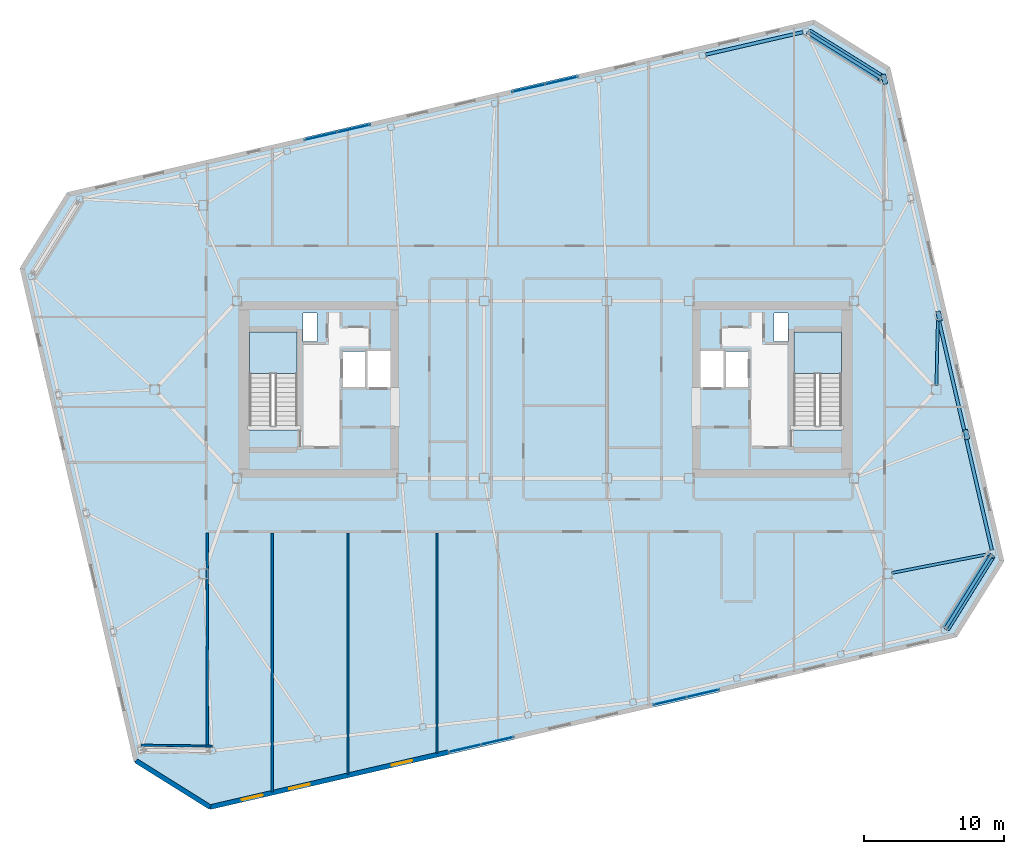
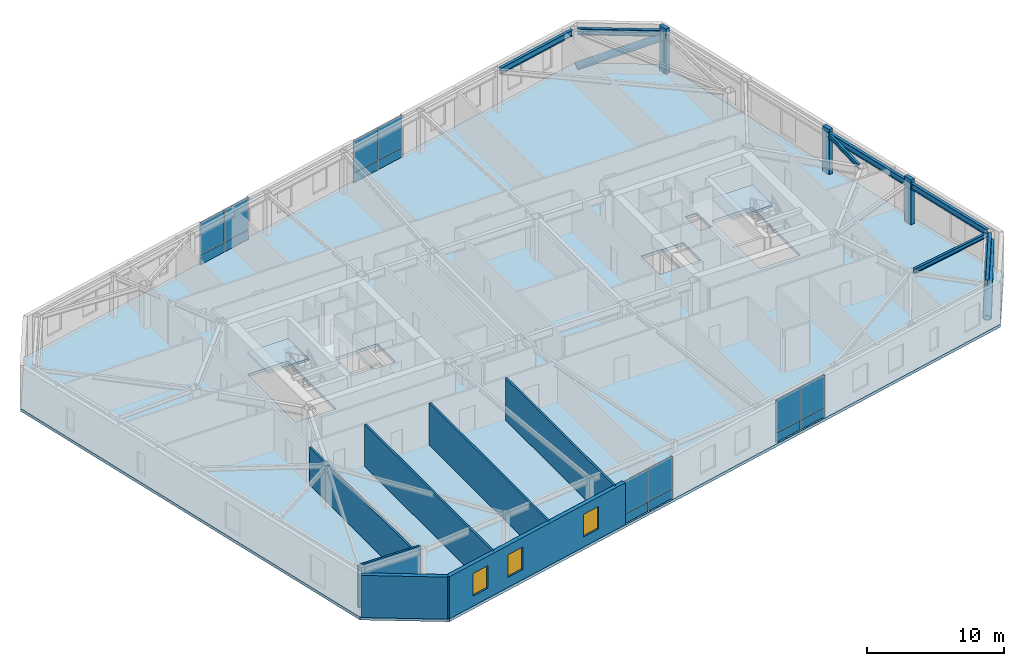
# One storey, part 15 of 23: 16 plates, 7 beams, 7 walls, 5 members, 3 slabs, 3 windows, 3 openings, 6 elements without a shape of their own.
"""IFC4 building model written with IfcOpenShell, lengths in metres."""

import ifcopenshell
import ifcopenshell.guid

model = None  # the IFC model being written
_history = None  # IfcOwnerHistory: only IFC2X3 demands one
_inside = {}  # id of a spatial element -> (the spatial element, [elements in it])
_under = {}  # id of a project, library or spatial element -> (it, [spatial elements below it])
_declared = {}  # id of a project -> (the project, [libraries it declares])
_typed = {}  # id of a type object -> (the type object, [elements of that type])
_made_of = {}  # id of a material, layer set ... -> (it, [elements and type objects made of it])


def new_model(schema):
    """Start an empty IFC model of exactly this schema.

    Asked for "IFC4X3", IfcOpenShell would pick the latest addendum, in which some entities
    have other attributes; the version numbers below select the first issue.
    IFC2X3 requires an IfcOwnerHistory on every rooted entity: one is made here for all.
    """
    global model, _history
    if schema == "IFC4X3":
        model = ifcopenshell.file(schema_version=(4, 3, 0, 0))
    else:
        model = ifcopenshell.file(schema=schema)
    _inside.clear()
    _under.clear()
    _declared.clear()
    _typed.clear()
    _made_of.clear()
    _history = None
    if model.schema == "IFC2X3":
        org = make("IfcOrganization", Name="unknown")
        user = make(
            "IfcPersonAndOrganization",
            ThePerson=make("IfcPerson", FamilyName="unknown"),
            TheOrganization=org,
        )
        app = make(
            "IfcApplication",
            ApplicationDeveloper=org,
            Version="unknown",
            ApplicationFullName="unknown",
            ApplicationIdentifier="unknown",
        )
        _history = make(
            "IfcOwnerHistory",
            OwningUser=user,
            OwningApplication=app,
            ChangeAction="ADDED",
            CreationDate=0,
        )
    return model


def make(cls, **values):
    """One entity of the class cls with the attributes given. An attribute that is None is left unset."""
    return model.create_entity(
        cls, **{name: value for name, value in values.items() if value is not None}
    )


def rooted(cls, **values):
    """An entity with a GlobalId (a new one), such as an element, a storey or a relation."""
    return make(cls, GlobalId=ifcopenshell.guid.new(), OwnerHistory=_history, **values)


def si_unit(unit_type, name, prefix=None):
    """IfcSIUnit, for example si_unit("LENGTHUNIT", "METRE", prefix="MILLI")."""
    return make("IfcSIUnit", UnitType=unit_type, Prefix=prefix, Name=name)


def assignment(units):
    """IfcUnitAssignment: the units of a project."""
    return None if units is None else make("IfcUnitAssignment", Units=units)


def point(xyz):
    """IfcCartesianPoint."""
    return None if xyz is None else make("IfcCartesianPoint", Coordinates=xyz)


def direction(xyz):
    """IfcDirection."""
    return None if xyz is None else make("IfcDirection", DirectionRatios=xyz)


def frame(location, z_axis=None, x_axis=None):
    """IfcAxis2Placement3D, a coordinate frame: its origin and axes. An axis left out is left unset."""
    return make(
        "IfcAxis2Placement3D",
        Location=point(location),
        Axis=direction(z_axis),
        RefDirection=direction(x_axis),
    )


def frame_2d(location, x_axis=None):
    """IfcAxis2Placement2D, a coordinate frame in the plane: its origin and x axis."""
    return make(
        "IfcAxis2Placement2D", Location=point(location), RefDirection=direction(x_axis)
    )


def origin():
    """The frame at (0, 0, 0) with its axes left unset."""
    return frame((0.0, 0.0, 0.0))


def origin_2d():
    """The frame at (0, 0) in the plane with its x axis left unset."""
    return frame_2d((0.0, 0.0))


def place(relative_to, where):
    """IfcLocalPlacement: puts the frame where relative to a parent placement (None: the world)."""
    return make(
        "IfcLocalPlacement", PlacementRelTo=relative_to, RelativePlacement=where
    )


def context(
    kind, dimensions, precision=None, world=None, true_north=None, identifier=None
):
    """IfcGeometricRepresentationContext, for example the 3D "Model" context."""
    return make(
        "IfcGeometricRepresentationContext",
        ContextIdentifier=identifier,
        ContextType=kind,
        CoordinateSpaceDimension=dimensions,
        Precision=precision,
        WorldCoordinateSystem=world,
        TrueNorth=true_north,
    )


def subcontext(parent, identifier, kind, view, scale=None):
    """IfcGeometricRepresentationSubContext, for example "Body" below "Model"."""
    return make(
        "IfcGeometricRepresentationSubContext",
        ContextIdentifier=identifier,
        ContextType=kind,
        ParentContext=parent,
        TargetScale=scale,
        TargetView=view,
    )


def project(units=None, contexts=None):
    """IfcProject with its units and contexts."""
    return rooted(
        "IfcProject",
        Name="project",
        RepresentationContexts=contexts,
        UnitsInContext=assignment(units),
    )


def spatial(cls, under=None, at=None, **own):
    """A site, building, storey or space (cls), placed at a placement, below another one or the project."""
    s = rooted(cls, ObjectPlacement=at, **own)
    if under is not None:
        _under.setdefault(under.id(), (under, []))[1].append(s)
    return s


def polyline(points):
    """IfcPolyline through the points."""
    return make("IfcPolyline", Points=[point(p) for p in points])


def profile(cls, at=None, kind="AREA", **sizes):
    """A parametric profile (cls). Its sizes go by their IFC names, for example OverallWidth=200.0."""
    return make(cls, ProfileType=kind, Position=at, **sizes)


def rectangle(**sizes):
    """IfcRectangleProfileDef."""
    return profile("IfcRectangleProfileDef", **sizes)


def hollow_circle(**sizes):
    """IfcCircleHollowProfileDef."""
    return profile("IfcCircleHollowProfileDef", **sizes)


def i_section(**sizes):
    """IfcIShapeProfileDef."""
    return profile("IfcIShapeProfileDef", **sizes)


def outline(outer, holes=None, kind="AREA"):
    """IfcArbitraryClosedProfileDef: a profile drawn as a closed curve; with holes, ...WithVoids."""
    if holes is None:
        return make("IfcArbitraryClosedProfileDef", ProfileType=kind, OuterCurve=outer)
    return make(
        "IfcArbitraryProfileDefWithVoids",
        ProfileType=kind,
        OuterCurve=outer,
        InnerCurves=holes,
    )


def extrude(swept, where, along, depth):
    """IfcExtrudedAreaSolid: the profile swept, set in the frame where, extruded along a direction by depth."""
    return make(
        "IfcExtrudedAreaSolid",
        SweptArea=swept,
        Position=where,
        ExtrudedDirection=direction(along),
        Depth=depth,
    )


def shape(context_of_items, identifier, shape_type, items):
    """IfcShapeRepresentation: the items that make up one representation, for example the "Body"."""
    return make(
        "IfcShapeRepresentation",
        ContextOfItems=context_of_items,
        RepresentationIdentifier=identifier,
        RepresentationType=shape_type,
        Items=items,
    )


def material(Name=None, Category=None):
    """IfcMaterial."""
    return make("IfcMaterial", Name=Name, Category=Category)


def layer(
    of_material, thickness, ventilated=None, Name=None, Category=None, Priority=None
):
    """IfcMaterialLayer: one layer of a wall or slab, of a material (None: an air gap)."""
    return make(
        "IfcMaterialLayer",
        Material=of_material,
        LayerThickness=thickness,
        IsVentilated=ventilated,
        Name=Name,
        Category=Category,
        Priority=Priority,
    )


def layer_set(layers, Name=None):
    """IfcMaterialLayerSet."""
    return make("IfcMaterialLayerSet", MaterialLayers=layers, LayerSetName=Name)


def material_profile(
    of_material, cross_section, Name=None, Category=None, Priority=None
):
    """IfcMaterialProfile: a cross section and its material."""
    return make(
        "IfcMaterialProfile",
        Name=Name,
        Material=of_material,
        Profile=cross_section,
        Priority=Priority,
        Category=Category,
    )


def profile_set(profiles, Name=None, composite=None):
    """IfcMaterialProfileSet."""
    return make(
        "IfcMaterialProfileSet",
        Name=Name,
        MaterialProfiles=profiles,
        CompositeProfile=composite,
    )


def made_of(thing, what):
    """Note that an element or type object is made of a material, layer set ...; save() writes the relation."""
    if what is not None:
        _made_of.setdefault(what.id(), (what, []))[1].append(thing)
    return thing


def type_object(cls, material=None, **own):
    """A type object (cls), such as IfcWallType, which elements share."""
    return made_of(rooted(cls, **own), material)


def element(
    cls,
    number,
    at=None,
    inside=None,
    cuts=None,
    type_object=None,
    material=None,
    context=None,
    identifier="Body",
    shape_type=None,
    held_by="IfcProductDefinitionShape",
    body=None,
    shapes=None,
    **own,
):
    """One element of the class cls, such as IfcWall. Its Tag is "e" and its number.

    at: its placement. inside: the storey or other place that contains it. cuts: it is an
    opening in that element (IfcRelVoidsElement). A single representation is given by context,
    identifier, shape_type and body (its items); several are given by shapes. held_by: the class
    of the entity that holds the representations. save() writes the other relations.
    """
    e = rooted(cls, Tag="e%d" % number, ObjectPlacement=at, **own)
    if body is not None:
        shapes = [shape(context, identifier, shape_type, body)]
    if shapes is not None:
        e.Representation = make(held_by, Representations=shapes)
    if inside is not None:
        _inside.setdefault(inside.id(), (inside, []))[1].append(e)
    if cuts is not None:
        rooted(
            "IfcRelVoidsElement", RelatingBuildingElement=cuts, RelatedOpeningElement=e
        )
    if type_object is not None:
        _typed.setdefault(type_object.id(), (type_object, []))[1].append(e)
    return made_of(e, material)


def fill(opening, filler):
    """IfcRelFillsElement: the door or window that sits in an opening."""
    return rooted(
        "IfcRelFillsElement",
        RelatingOpeningElement=opening,
        RelatedBuildingElement=filler,
    )


def aggregate(whole, parts):
    """IfcRelAggregates: a whole, such as a stair, and the parts it consists of."""
    return rooted("IfcRelAggregates", RelatingObject=whole, RelatedObjects=parts)


def save(model, path):
    """Write the relations noted so far, then the file.

    IfcRelAggregates (storeys below a building ...), IfcRelContainedInSpatialStructure (elements
    in a storey), IfcRelDefinesByType, IfcRelAssociatesMaterial and IfcRelDeclares: one each for
    every whole, place, type object, material and project.
    """
    for whole, parts in _under.values():
        aggregate(whole, parts)
    for where, things in _inside.values():
        rooted(
            "IfcRelContainedInSpatialStructure",
            RelatedElements=things,
            RelatingStructure=where,
        )
    for kind, things in _typed.values():
        rooted("IfcRelDefinesByType", RelatedObjects=things, RelatingType=kind)
    for what, things in _made_of.values():
        rooted("IfcRelAssociatesMaterial", RelatedObjects=things, RelatingMaterial=what)
    for by, libraries in _declared.values():
        rooted("IfcRelDeclares", RelatingContext=by, RelatedDefinitions=libraries)
    model.write(path)


model = new_model("IFC4")

# Units and contexts
model_context = context("Model", 3, precision=1e-05, world=origin(), true_north=direction((0.0, 1.0)))
body_context = subcontext(model_context, "Body", "Model", "MODEL_VIEW")
ifc_project = project(units=[si_unit("LENGTHUNIT", "METRE"), si_unit("AREAUNIT", "SQUARE_METRE"), si_unit("VOLUMEUNIT", "CUBIC_METRE"), si_unit("PLANEANGLEUNIT", "RADIAN"), si_unit("MASSUNIT", "GRAM", prefix="KILO")], contexts=[model_context])

# Site, building, storey
site_placement = place(None, origin())
site = spatial("IfcSite", under=ifc_project, at=site_placement, CompositionType="ELEMENT")
building_placement = place(site_placement, origin())
building = spatial("IfcBuilding", under=site, at=building_placement, Name="Tavrogorsk Clinical Tower", CompositionType="ELEMENT")
storey_placement = place(building_placement, frame((0.0, 0.0, 301.0)))
storey = spatial("IfcBuildingStorey", under=building, at=storey_placement, Name="L70", CompositionType="ELEMENT", Elevation=301.0)

# Members
ifc_material_1 = material(Name="Structural steel S440", Category="steel")
ifc_material_profile_1 = material_profile(ifc_material_1, hollow_circle(Radius=0.304931640625, WallThickness=0.02490234375, at=origin_2d()), Name="CHS-610x25")
ifc_profile_set_1 = profile_set([ifc_material_profile_1], Name="Structural steel S440")
member_type_1 = type_object("IfcMemberType", Name="ExoBrace_CHS610", PredefinedType="BRACE", material=ifc_profile_set_1)
for number, where, z_axis, x_axis, name in (
    (1, (28.70166015625, -17.063720703125, 0.393310546875), (0.485685891885, 0.777193135924, 0.40010004236), (-0.848027637525, 0.529952003481, 0.0), "L70 Corner Exoskeleton Brace S8-E1"),
    (2, (18.86279296875, 25.55322265625, 0.393310546875), (0.777221605895, -0.485643868835, 0.400095748531), (0.529905066536, 0.848056967697, 0.0), "L70 Corner Exoskeleton Brace E5-N1"),
):
    element("IfcMember", number, at=place(storey_placement, frame(where, z_axis=z_axis, x_axis=x_axis)), inside=storey, type_object=member_type_1, Name=name, PredefinedType="BRACE", context=body_context, shape_type="SweptSolid", body=[
        extrude(hollow_circle(Radius=0.304931640625, WallThickness=0.02490234375, at=origin_2d()), origin(), (0.0, 0.0, 1.0), 6.63232421875),
    ])

# Beams
ifc_material_2 = material(Name="Structural steel S355", Category="steel")
ifc_material_profile_2 = material_profile(ifc_material_2, i_section(OverallWidth=0.199951171875, OverallDepth=0.39990234375, WebThickness=0.010498046875, FlangeThickness=0.01611328125, at=origin_2d()), Name="B-400x200x10.5x16")
ifc_profile_set_2 = profile_set([ifc_material_profile_2], Name="Structural steel S355")
beam_type_1 = type_object("IfcBeamType", Name="FloorBeam_B400", PredefinedType="BEAM", material=ifc_profile_set_2)
beam_1_placement = place(storey_placement, frame((24.80419921875, -13.140625, 3.5400390625), z_axis=(0.981451198395, 0.191712141424, 0.0), x_axis=(-0.191712141424, 0.981451198395, 0.0)))
element("IfcBeam", 3, at=beam_1_placement, inside=storey, type_object=beam_type_1, Name="L70 Radial Floor Beam E1", PredefinedType="BEAM", context=body_context, shape_type="SweptSolid", body=[
    extrude(i_section(OverallWidth=0.199951171875, OverallDepth=0.39990234375, WebThickness=0.010498046875, FlangeThickness=0.01611328125, at=origin_2d()), origin(), (0.0, 0.0, 1.0), 7.13525390625),
])
beam_2_placement = place(storey_placement, frame((28.0068359375, 0.309814453125, 3.5400390625), z_axis=(0.022370062613, 0.999749758839, 0.0), x_axis=(-0.999749758839, 0.022370062613, 0.0)))
element("IfcBeam", 4, at=beam_2_placement, inside=storey, type_object=beam_type_1, Name="L70 Radial Floor Beam E3", PredefinedType="BEAM", context=body_context, shape_type="SweptSolid", body=[
    extrude(i_section(OverallWidth=0.199951171875, OverallDepth=0.39990234375, WebThickness=0.010498046875, FlangeThickness=0.01611328125, at=origin_2d()), origin(), (0.0, 0.0, 1.0), 4.703857421875),
])

# Members
ifc_material_3 = material(Name="Precast concrete B45 with limestone cladding", Category="masonry")
ifc_material_profile_3 = material_profile(ifc_material_3, rectangle(XDim=0.320068359375, YDim=0.719970703125, at=origin_2d()), Name="LIMESTONE-FIN-320x720")
ifc_profile_set_3 = profile_set([ifc_material_profile_3], Name="Precast concrete B45 with limestone cladding")
member_type_2 = type_object("IfcMemberType", Name="LimestonePleatFin_320x720", PredefinedType="USERDEFINED", material=ifc_profile_set_3)
for number, where, z_axis, x_axis, name in (
    (5, (30.154541015625, -3.223388671875, 0.0), (0.0, 0.0, 1.0), (0.974370064785, 0.224951054344, 0.0), "L70 E Pleated Stone Fin 1"),
    (6, (28.1953125, 5.263427734375, 0.0), (0.0, 0.0, 1.0), (0.974370064785, 0.224951054344, 0.0), "L70 E Pleated Stone Fin 2"),
    (7, (24.276611328125, 22.237060546875, 0.0), (0.0, 0.0, 1.0), (0.974370064785, 0.224951054344, 0.0), "L70 E Pleated Stone Fin 4"),
):
    element("IfcMember", number, at=place(storey_placement, frame(where, z_axis=z_axis, x_axis=x_axis)), inside=storey, type_object=member_type_2, Name=name, ObjectType="FIN", PredefinedType="USERDEFINED", context=body_context, shape_type="SweptSolid", body=[
        extrude(rectangle(XDim=0.320068359375, YDim=0.719970703125, at=origin_2d()), origin(), (0.0, 0.0, 1.0), 4.0),
    ])

# Beams
ifc_material_4 = material(Name="Structural steel S390", Category="steel")
ifc_material_profile_4 = material_profile(ifc_material_4, i_section(OverallWidth=0.239990234375, OverallDepth=0.550048828125, WebThickness=0.013916015625, FlangeThickness=0.02197265625, at=origin_2d()), Name="B-550x240x14x22")
ifc_profile_set_4 = profile_set([ifc_material_profile_4], Name="Structural steel S390")
beam_type_2 = type_object("IfcBeamType", Name="SpandrelBeam_B550", PredefinedType="SPANDREL", material=ifc_profile_set_4)
beam_3_placement = place(storey_placement, frame((28.712158203125, -17.04736328125, 3.465087890625), z_axis=(0.529904457892, 0.848057348006, 0.0), x_axis=(-0.848057348006, 0.529904457892, 0.0)))
element("IfcBeam", 8, at=beam_3_placement, inside=storey, type_object=beam_type_2, Name="L70 Perimeter Spandrel S8-E1", PredefinedType="SPANDREL", context=body_context, shape_type="SweptSolid", body=[
    extrude(i_section(OverallWidth=0.239990234375, OverallDepth=0.550048828125, WebThickness=0.013916015625, FlangeThickness=0.02197265625, at=origin_2d()), origin(), (0.0, 0.0, 1.0), 6.039306640625),
])
for number, where, z_axis, x_axis, name in (
    (9, (31.9833984375, -11.5009765625, 3.465087890625), (-0.224950345141, 0.974370228517, 0.0), (-0.974370228517, -0.224950345141, 0.0), "L70 Perimeter Spandrel E1-E2"),
    (10, (30.024169921875, -3.01416015625, 3.465087890625), (-0.224950345141, 0.974370228517, 0.0), (-0.974370228517, -0.224950345141, 0.0), "L70 Perimeter Spandrel E2-E3"),
):
    element("IfcBeam", number, at=place(storey_placement, frame(where, z_axis=z_axis, x_axis=x_axis)), inside=storey, type_object=beam_type_2, Name=name, PredefinedType="SPANDREL", context=body_context, shape_type="SweptSolid", body=[
        extrude(i_section(OverallWidth=0.239990234375, OverallDepth=0.550048828125, WebThickness=0.013916015625, FlangeThickness=0.02197265625, at=origin_2d()), origin(), (0.0, 0.0, 1.0), 8.243896484375),
    ])
beam_4_placement = place(storey_placement, frame((24.0009765625, 22.342529296875, 3.465087890625), z_axis=(-0.848057348006, 0.529904457892, 0.0), x_axis=(-0.529904457892, -0.848057348006, 0.0)))
element("IfcBeam", 11, at=beam_4_placement, inside=storey, type_object=beam_type_2, Name="L70 Perimeter Spandrel E5-N1", PredefinedType="SPANDREL", context=body_context, shape_type="SweptSolid", body=[
    extrude(i_section(OverallWidth=0.239990234375, OverallDepth=0.550048828125, WebThickness=0.013916015625, FlangeThickness=0.02197265625, at=origin_2d()), origin(), (0.0, 0.0, 1.0), 6.039306640625),
])
beam_5_placement = place(storey_placement, frame((18.45458984375, 25.61376953125, 3.465087890625), z_axis=(-0.974375120167, -0.224929155956, 0.0), x_axis=(0.224929155956, -0.974375120167, 0.0)))
element("IfcBeam", 12, at=beam_5_placement, inside=storey, type_object=beam_type_2, Name="L70 Perimeter Spandrel N1-N2", PredefinedType="SPANDREL", context=body_context, shape_type="SweptSolid", body=[
    extrude(i_section(OverallWidth=0.239990234375, OverallDepth=0.550048828125, WebThickness=0.013916015625, FlangeThickness=0.02197265625, at=origin_2d()), origin(), (0.0, 0.0, 1.0), 7.16796875),
])

# Curtain wall, plates
ifc_material_5 = material(Name="Anodised aluminium and triple IGU glazing", Category="aluminium")
ifc_layer_1 = layer(ifc_material_5, 0.179931640625)
ifc_layer_set_1 = layer_set([ifc_layer_1], Name="Anodised aluminium and triple IGU glazing")
curtain_wall_type_1 = type_object("IfcCurtainWallType", Name="CW3_SouthSlot", PredefinedType="NOTDEFINED", material=ifc_layer_set_1)
curtain_wall_1_placement = place(storey_placement, origin())
curtain_wall_1 = element("IfcCurtainWall", 13, at=curtain_wall_1_placement, inside=storey, type_object=curtain_wall_type_1, Name="L70 Curtain Wall CW-L70-S-SLOT-1", PredefinedType="NOTDEFINED")
ifc_material_6 = material(Name="Honed Podolsk limestone spandrel panel", Category="masonry")
ifc_layer_2 = layer(ifc_material_6, 0.080078125)
ifc_layer_set_2 = layer_set([ifc_layer_2], Name="Honed Podolsk limestone spandrel panel")
plate_type_1 = type_object("IfcPlateType", Name="CwSpandrelStonePanel_80", PredefinedType="CURTAIN_PANEL", material=ifc_layer_set_2)
plate_1_placement = place(storey_placement, frame((-5.810546875, -25.7099609375, 0.001953125), z_axis=(0.0, 0.0, 1.0), x_axis=(0.974370057377, 0.224951086434, 0.0)))
plate_1 = element("IfcPlate", 14, at=plate_1_placement, type_object=plate_type_1, Name="CW-L70-S-SLOT-1 Stone Spandrel Panel 1", PredefinedType="CURTAIN_PANEL", context=body_context, shape_type="SweptSolid", body=[
    extrude(rectangle(XDim=2.39208984375, YDim=0.080078125, at=origin_2d()), origin(), (0.0, 0.0, 1.0), 0.8359375),
])
plate_2_placement = place(storey_placement, frame((-3.45654296875, -25.16650390625, 0.001953125), z_axis=(0.0, 0.0, 1.0), x_axis=(0.974370057377, 0.224951086434, 0.0)))
plate_2 = element("IfcPlate", 15, at=plate_2_placement, type_object=plate_type_1, Name="CW-L70-S-SLOT-1 Stone Spandrel Panel 2", PredefinedType="CURTAIN_PANEL", context=body_context, shape_type="SweptSolid", body=[
    extrude(rectangle(XDim=2.39208984375, YDim=0.080078125, at=origin_2d()), origin(), (0.0, 0.0, 1.0), 0.8359375),
])

curtain_wall_2_placement = place(storey_placement, origin())
curtain_wall_2 = element("IfcCurtainWall", 16, at=curtain_wall_2_placement, inside=storey, type_object=curtain_wall_type_1, Name="L70 Curtain Wall CW-L70-S-SLOT-2", PredefinedType="NOTDEFINED")
plate_3_placement = place(storey_placement, frame((8.9296875, -22.306884765625, 0.001953125), z_axis=(0.0, 0.0, 1.0), x_axis=(0.974370057377, 0.224951086434, 0.0)))
plate_3 = element("IfcPlate", 17, at=plate_3_placement, type_object=plate_type_1, Name="CW-L70-S-SLOT-2 Stone Spandrel Panel 1", PredefinedType="CURTAIN_PANEL", context=body_context, shape_type="SweptSolid", body=[
    extrude(rectangle(XDim=2.39208984375, YDim=0.080078125, at=origin_2d()), origin(), (0.0, 0.0, 1.0), 0.8359375),
])
plate_4_placement = place(storey_placement, frame((11.28369140625, -21.763427734375, 0.001953125), z_axis=(0.0, 0.0, 1.0), x_axis=(0.974370057377, 0.224951086434, 0.0)))
plate_4 = element("IfcPlate", 18, at=plate_4_placement, type_object=plate_type_1, Name="CW-L70-S-SLOT-2 Stone Spandrel Panel 2", PredefinedType="CURTAIN_PANEL", context=body_context, shape_type="SweptSolid", body=[
    extrude(rectangle(XDim=2.39208984375, YDim=0.080078125, at=origin_2d()), origin(), (0.0, 0.0, 1.0), 0.8359375),
])

ifc_material_7 = material(Name="Anodised aluminium and triple IGU glazing", Category="aluminium")
ifc_layer_3 = layer(ifc_material_7, 0.179931640625)
ifc_layer_set_3 = layer_set([ifc_layer_3], Name="Anodised aluminium and triple IGU glazing")
curtain_wall_type_2 = type_object("IfcCurtainWallType", Name="CW2_NorthSlot", PredefinedType="NOTDEFINED", material=ifc_layer_set_3)
curtain_wall_3_placement = place(storey_placement, origin())
curtain_wall_3 = element("IfcCurtainWall", 19, at=curtain_wall_3_placement, inside=storey, type_object=curtain_wall_type_2, Name="L70 Curtain Wall CW-L70-N-SLOT-1", PredefinedType="NOTDEFINED")
plate_5_placement = place(storey_placement, frame((-13.729736328125, 18.70703125, 0.001953125), z_axis=(0.0, 0.0, 1.0), x_axis=(-0.974370057377, -0.224951086434, 0.0)))
plate_5 = element("IfcPlate", 20, at=plate_5_placement, type_object=plate_type_1, Name="CW-L70-N-SLOT-1 Stone Spandrel Panel 1", PredefinedType="CURTAIN_PANEL", context=body_context, shape_type="SweptSolid", body=[
    extrude(rectangle(XDim=2.39208984375, YDim=0.080078125, at=origin_2d()), origin(), (0.0, 0.0, 1.0), 0.8359375),
])
plate_6_placement = place(storey_placement, frame((-16.083740234375, 18.16357421875, 0.001953125), z_axis=(0.0, 0.0, 1.0), x_axis=(-0.974370057377, -0.224951086434, 0.0)))
plate_6 = element("IfcPlate", 21, at=plate_6_placement, type_object=plate_type_1, Name="CW-L70-N-SLOT-1 Stone Spandrel Panel 2", PredefinedType="CURTAIN_PANEL", context=body_context, shape_type="SweptSolid", body=[
    extrude(rectangle(XDim=2.39208984375, YDim=0.080078125, at=origin_2d()), origin(), (0.0, 0.0, 1.0), 0.8359375),
])

curtain_wall_4_placement = place(storey_placement, origin())
curtain_wall_4 = element("IfcCurtainWall", 22, at=curtain_wall_4_placement, inside=storey, type_object=curtain_wall_type_2, Name="L70 Curtain Wall CW-L70-N-SLOT-2", PredefinedType="NOTDEFINED")
plate_7_placement = place(storey_placement, frame((1.1474609375, 22.1416015625, 0.001953125), z_axis=(0.0, 0.0, 1.0), x_axis=(-0.974370092441, -0.224950934554, 0.0)))
plate_7 = element("IfcPlate", 23, at=plate_7_placement, type_object=plate_type_1, Name="CW-L70-N-SLOT-2 Stone Spandrel Panel 1", PredefinedType="CURTAIN_PANEL", context=body_context, shape_type="SweptSolid", body=[
    extrude(rectangle(XDim=2.39208984375, YDim=0.080078125, at=origin_2d()), origin(), (0.0, 0.0, 1.0), 0.8359375),
])
plate_8_placement = place(storey_placement, frame((-1.20654296875, 21.59814453125, 0.001953125), z_axis=(0.0, 0.0, 1.0), x_axis=(-0.974370092441, -0.224950934554, 0.0)))
plate_8 = element("IfcPlate", 24, at=plate_8_placement, type_object=plate_type_1, Name="CW-L70-N-SLOT-2 Stone Spandrel Panel 2", PredefinedType="CURTAIN_PANEL", context=body_context, shape_type="SweptSolid", body=[
    extrude(rectangle(XDim=2.39208984375, YDim=0.080078125, at=origin_2d()), origin(), (0.0, 0.0, 1.0), 0.8359375),
])

# Plate
ifc_material_8 = material(Name="Triple low-E argon insulated glass", Category="glass")
ifc_layer_4 = layer(ifc_material_8, 0.048095703125)
ifc_layer_set_4 = layer_set([ifc_layer_4], Name="Triple low-E argon insulated glass")
plate_type_2 = type_object("IfcPlateType", Name="CwVisionGlassPanel_48", PredefinedType="CURTAIN_PANEL", material=ifc_layer_set_4)
plate_9_placement = place(storey_placement, frame((-5.810546875, -25.7099609375, 0.862060546875), z_axis=(0.0, 0.0, 1.0), x_axis=(0.974370057377, 0.224951086434, 0.0)))
plate_9 = element("IfcPlate", 25, at=plate_9_placement, type_object=plate_type_2, Name="CW-L70-S-SLOT-1 Glazing Panel 1", PredefinedType="CURTAIN_PANEL", context=body_context, shape_type="SweptSolid", body=[
    extrude(rectangle(XDim=2.39208984375, YDim=0.048095703125, at=origin_2d()), origin(), (0.0, 0.0, 1.0), 2.8759765625),
])

plate_10_placement = place(storey_placement, frame((-3.45654296875, -25.16650390625, 0.862060546875), z_axis=(0.0, 0.0, 1.0), x_axis=(0.974370057377, 0.224951086434, 0.0)))
plate_10 = element("IfcPlate", 26, at=plate_10_placement, type_object=plate_type_2, Name="CW-L70-S-SLOT-1 Glazing Panel 2", PredefinedType="CURTAIN_PANEL", context=body_context, shape_type="SweptSolid", body=[
    extrude(rectangle(XDim=2.39208984375, YDim=0.048095703125, at=origin_2d()), origin(), (0.0, 0.0, 1.0), 2.8759765625),
])

aggregate(curtain_wall_1, [plate_1, plate_9, plate_2, plate_10])

plate_11_placement = place(storey_placement, frame((8.9296875, -22.306884765625, 0.862060546875), z_axis=(0.0, 0.0, 1.0), x_axis=(0.974370057377, 0.224951086434, 0.0)))
plate_11 = element("IfcPlate", 27, at=plate_11_placement, type_object=plate_type_2, Name="CW-L70-S-SLOT-2 Glazing Panel 1", PredefinedType="CURTAIN_PANEL", context=body_context, shape_type="SweptSolid", body=[
    extrude(rectangle(XDim=2.39208984375, YDim=0.048095703125, at=origin_2d()), origin(), (0.0, 0.0, 1.0), 2.8759765625),
])

plate_12_placement = place(storey_placement, frame((11.28369140625, -21.763427734375, 0.862060546875), z_axis=(0.0, 0.0, 1.0), x_axis=(0.974370057377, 0.224951086434, 0.0)))
plate_12 = element("IfcPlate", 28, at=plate_12_placement, type_object=plate_type_2, Name="CW-L70-S-SLOT-2 Glazing Panel 2", PredefinedType="CURTAIN_PANEL", context=body_context, shape_type="SweptSolid", body=[
    extrude(rectangle(XDim=2.39208984375, YDim=0.048095703125, at=origin_2d()), origin(), (0.0, 0.0, 1.0), 2.8759765625),
])

aggregate(curtain_wall_2, [plate_3, plate_11, plate_4, plate_12])

plate_13_placement = place(storey_placement, frame((-13.729736328125, 18.70703125, 0.862060546875), z_axis=(0.0, 0.0, 1.0), x_axis=(-0.974370057377, -0.224951086434, 0.0)))
plate_13 = element("IfcPlate", 29, at=plate_13_placement, type_object=plate_type_2, Name="CW-L70-N-SLOT-1 Glazing Panel 1", PredefinedType="CURTAIN_PANEL", context=body_context, shape_type="SweptSolid", body=[
    extrude(rectangle(XDim=2.39208984375, YDim=0.048095703125, at=origin_2d()), origin(), (0.0, 0.0, 1.0), 2.8759765625),
])

plate_14_placement = place(storey_placement, frame((-16.083740234375, 18.16357421875, 0.862060546875), z_axis=(0.0, 0.0, 1.0), x_axis=(-0.974370057377, -0.224951086434, 0.0)))
plate_14 = element("IfcPlate", 30, at=plate_14_placement, type_object=plate_type_2, Name="CW-L70-N-SLOT-1 Glazing Panel 2", PredefinedType="CURTAIN_PANEL", context=body_context, shape_type="SweptSolid", body=[
    extrude(rectangle(XDim=2.39208984375, YDim=0.048095703125, at=origin_2d()), origin(), (0.0, 0.0, 1.0), 2.8759765625),
])

aggregate(curtain_wall_3, [plate_5, plate_13, plate_6, plate_14])

plate_15_placement = place(storey_placement, frame((1.1474609375, 22.1416015625, 0.862060546875), z_axis=(0.0, 0.0, 1.0), x_axis=(-0.974370092441, -0.224950934554, 0.0)))
plate_15 = element("IfcPlate", 31, at=plate_15_placement, type_object=plate_type_2, Name="CW-L70-N-SLOT-2 Glazing Panel 1", PredefinedType="CURTAIN_PANEL", context=body_context, shape_type="SweptSolid", body=[
    extrude(rectangle(XDim=2.39208984375, YDim=0.048095703125, at=origin_2d()), origin(), (0.0, 0.0, 1.0), 2.8759765625),
])

plate_16_placement = place(storey_placement, frame((-1.20654296875, 21.59814453125, 0.862060546875), z_axis=(0.0, 0.0, 1.0), x_axis=(-0.974370092441, -0.224950934554, 0.0)))
plate_16 = element("IfcPlate", 32, at=plate_16_placement, type_object=plate_type_2, Name="CW-L70-N-SLOT-2 Glazing Panel 2", PredefinedType="CURTAIN_PANEL", context=body_context, shape_type="SweptSolid", body=[
    extrude(rectangle(XDim=2.39208984375, YDim=0.048095703125, at=origin_2d()), origin(), (0.0, 0.0, 1.0), 2.8759765625),
])

aggregate(curtain_wall_4, [plate_7, plate_15, plate_8, plate_16])

# Stair, slab
ifc_material_9 = material(Name="Concrete B60", Category="concrete")
stair_type = type_object("IfcStairType", Name="CoreStairAssembly", PredefinedType="HALF_TURN_STAIR", material=ifc_material_9)
stair_1_placement = place(storey_placement, origin())
stair_1 = element("IfcStair", 33, at=stair_1_placement, inside=storey, type_object=stair_type, Name="L70 ST-W", PredefinedType="HALF_TURN_STAIR")
ifc_material_10 = material(Name="Concrete B60", Category="concrete")
ifc_layer_5 = layer(ifc_material_10, 0.199951171875)
ifc_layer_set_5 = layer_set([ifc_layer_5], Name="Concrete B60")
slab_type_1 = type_object("IfcSlabType", Name="StairLanding_200", PredefinedType="LANDING", material=ifc_layer_set_5)
slab_1_placement = place(storey_placement, frame((0.0, 0.0, 1.800048828125)))
slab_1 = element("IfcSlab", 34, at=slab_1_placement, type_object=slab_type_1, Name="ST-W landing 1", PredefinedType="LANDING", context=body_context, shape_type="SweptSolid", body=[
    extrude(outline(polyline([(-17.800048828125, 1.1650390625), (-17.800048828125, 4.125), (-21.199951171875, 4.125), (-21.199951171875, 1.1650390625), (-17.800048828125, 1.1650390625)])), origin(), (0.0, 0.0, 1.0), 0.199951171875),
])
aggregate(stair_1, [slab_1])

stair_2_placement = place(storey_placement, origin())
stair_2 = element("IfcStair", 35, at=stair_2_placement, inside=storey, type_object=stair_type, Name="L70 ST-E", PredefinedType="HALF_TURN_STAIR")
slab_2_placement = place(storey_placement, frame((0.0, 0.0, 1.800048828125)))
slab_2 = element("IfcSlab", 36, at=slab_2_placement, type_object=slab_type_1, Name="ST-E landing 1", PredefinedType="LANDING", context=body_context, shape_type="SweptSolid", body=[
    extrude(outline(polyline([(21.199951171875, 1.1650390625), (21.199951171875, 4.125), (17.800048828125, 4.125), (17.800048828125, 1.1650390625), (21.199951171875, 1.1650390625)])), origin(), (0.0, 0.0, 1.0), 0.199951171875),
])
aggregate(stair_2, [slab_2])

# Slab
ifc_material_11 = material(Name="Concrete B60", Category="concrete")
ifc_layer_6 = layer(ifc_material_11, 0.260009765625)
ifc_layer_set_6 = layer_set([ifc_layer_6], Name="Concrete B60")
slab_type_2 = type_object("IfcSlabType", Name="WardSlab_260", PredefinedType="FLOOR", material=ifc_layer_set_6)
slab_3_placement = place(storey_placement, frame((0.0, 0.0, -0.260009765625)))
element("IfcSlab", 37, at=slab_3_placement, inside=storey, type_object=slab_type_2, Name="L70 Structural Slab", PredefinedType="FLOOR", context=body_context, shape_type="SweptSolid", body=[
    extrude(outline(polyline([(-23.991455078125, -30.081787109375), (29.404052734375, -17.75439453125), (32.8515625, -12.23779296875), (24.708251953125, 23.034423828125), (19.19140625, 26.48193359375), (-34.2041015625, 14.154541015625), (-37.651611328125, 8.6376953125), (-29.50830078125, -26.634521484375), (-23.991455078125, -30.081787109375)]), holes=[polyline([(-17.800048828125, -2.8798828125), (-17.800048828125, 4.125), (-21.199951171875, 4.125), (-21.199951171875, -2.8798828125), (-17.800048828125, -2.8798828125)]), polyline([(21.199951171875, -2.8798828125), (21.199951171875, 4.125), (17.800048828125, 4.125), (17.800048828125, -2.8798828125), (21.199951171875, -2.8798828125)]), polyline([(-14.6201171875, 0.169921875), (-12.860107421875, 0.169921875), (-12.860107421875, 2.72998046875), (-14.6201171875, 2.72998046875), (-14.6201171875, 0.169921875)]), polyline([(-12.840087890625, 0.1201171875), (-11.080078125, 0.1201171875), (-11.080078125, 2.780029296875), (-12.840087890625, 2.780029296875), (-12.840087890625, 0.1201171875)]), polyline([(12.860107421875, 0.169921875), (14.6201171875, 0.169921875), (14.6201171875, 2.72998046875), (12.860107421875, 2.72998046875), (12.860107421875, 0.169921875)]), polyline([(11.080078125, 0.1201171875), (12.840087890625, 0.1201171875), (12.840087890625, 2.780029296875), (11.080078125, 2.780029296875), (11.080078125, 0.1201171875)]), polyline([(-17.3798828125, 3.449951171875), (-16.3798828125, 3.449951171875), (-16.3798828125, 5.5), (-17.3798828125, 5.5), (-17.3798828125, 3.449951171875)]), polyline([(16.3798828125, 3.449951171875), (17.3798828125, 3.449951171875), (17.3798828125, 5.5), (16.3798828125, 5.5), (16.3798828125, 3.449951171875)])]), origin(), (0.0, 0.0, 1.0), 0.260009765625),
])

# Walls
ifc_material_12 = material(Name="Lightweight concrete blockwork B15", Category="masonry")
ifc_layer_7 = layer(ifc_material_12, 0.159912109375)
ifc_layer_set_7 = layer_set([ifc_layer_7], Name="Lightweight concrete blockwork B15")
wall_type_1 = type_object("IfcWallType", Name="PartitionWall_160", PredefinedType="PARTITIONING", material=ifc_layer_set_7)
wall_1_placement = place(storey_placement, frame((-28.994140625, -25.47900390625, 0.0), z_axis=(0.0, 0.0, 1.0), x_axis=(0.999915052546, -0.01303409726, 0.0)))
element("IfcWall", 38, at=wall_1_placement, inside=storey, type_object=wall_type_1, Name="L70 Corner Exoskeleton Brace Furring Wall 4", PredefinedType="PARTITIONING", context=body_context, shape_type="SweptSolid", body=[
    extrude(rectangle(XDim=5.13232421875, YDim=0.159912109375, at=frame_2d((2.566162109375, 0.0))), origin(), (0.0, 0.0, 1.0), 3.739990234375),
])
wall_2_placement = place(storey_placement, frame((-24.22998046875, -25.535888671875, 0.0), z_axis=(0.0, 0.0, 1.0), x_axis=(0.0, 1.0, 0.0)))
element("IfcWall", 39, at=wall_2_placement, inside=storey, type_object=wall_type_1, Name="L70 SW Wing Closure Partition", PredefinedType="PARTITIONING", context=body_context, shape_type="SweptSolid", body=[
    extrude(rectangle(XDim=15.27099609375, YDim=0.159912109375, at=frame_2d((7.635498046875, 0.0))), origin(), (0.0, 0.0, 1.0), 3.3349609375),
])
wall_3_placement = place(storey_placement, frame((-19.580078125, -28.817138671875, 0.0), z_axis=(0.0, 0.0, 1.0), x_axis=(0.0, 1.0, 0.0)))
element("IfcWall", 40, at=wall_3_placement, inside=storey, type_object=wall_type_1, Name="L70 South Room Partition 1", PredefinedType="PARTITIONING", context=body_context, shape_type="SweptSolid", body=[
    extrude(rectangle(XDim=18.55224609375, YDim=0.159912109375, at=frame_2d((9.276123046875, 0.0))), origin(), (0.0, 0.0, 1.0), 3.739990234375),
])
wall_4_placement = place(storey_placement, frame((-14.159912109375, -27.56591796875, 0.0), z_axis=(0.0, 0.0, 1.0), x_axis=(0.0, 1.0, 0.0)))
element("IfcWall", 41, at=wall_4_placement, inside=storey, type_object=wall_type_1, Name="L70 South Room Partition 2", PredefinedType="PARTITIONING", context=body_context, shape_type="SweptSolid", body=[
    extrude(rectangle(XDim=17.301025390625, YDim=0.159912109375, at=frame_2d((8.650390625, 0.0))), origin(), (0.0, 0.0, 1.0), 3.739990234375),
])
wall_5_placement = place(storey_placement, frame((-7.77001953125, -26.090576171875, 0.0), z_axis=(0.0, 0.0, 1.0), x_axis=(0.0, 1.0, 0.0)))
element("IfcWall", 42, at=wall_5_placement, inside=storey, type_object=wall_type_1, Name="L70 South Sub-Partition 3", PredefinedType="PARTITIONING", context=body_context, shape_type="SweptSolid", body=[
    extrude(rectangle(XDim=15.82568359375, YDim=0.159912109375, at=frame_2d((7.912841796875, 0.0))), origin(), (0.0, 0.0, 1.0), 3.739990234375),
])

# Wall, openings, windows
ifc_material_13 = material(Name="Precast concrete B45 with limestone cladding", Category="masonry")
ifc_layer_8 = layer(ifc_material_13, 0.340087890625)
ifc_layer_set_8 = layer_set([ifc_layer_8], Name="Precast concrete B45 with limestone cladding")
wall_type_2 = type_object("IfcWallType", Name="PrecastLimestoneWall_340", PredefinedType="STANDARD", material=ifc_layer_set_8)
wall_6_placement = place(storey_placement, frame((-24.029541015625, -29.916259765625, 0.0), z_axis=(0.0, 0.0, 1.0), x_axis=(0.974370978061, 0.224947098473, 0.0)))
wall_6 = element("IfcWall", 43, at=wall_6_placement, inside=storey, type_object=wall_type_2, Name="L70 S Limestone Facade Wall 1", PredefinedType="STANDARD", context=body_context, shape_type="SweptSolid", body=[
    extrude(rectangle(XDim=17.50634765625, YDim=0.340087890625, at=frame_2d((8.753173828125, 0.0))), origin(), (0.0, 0.0, 1.0), 3.739990234375),
])
opening_1_placement = place(wall_6_placement, frame((2.35009765625, 0.0, 0.89990234375)))
opening_1 = element("IfcOpeningElement", 44, at=opening_1_placement, cuts=wall_6, Name="Opening WN-05", PredefinedType="OPENING", context=body_context, shape_type="SweptSolid", body=[
    extrude(rectangle(XDim=1.5, YDim=2.0, at=frame_2d((0.75, 1.0))), frame((0.0, 0.179931640625, 0.0), z_axis=(0.0, -1.0, 0.0), x_axis=(1.0, 0.0, 0.0)), (0.0, 0.0, 1.0), 0.360107421875),
])
opening_2_placement = place(wall_6_placement, frame((5.81689453125, 0.0, 0.89990234375)))
opening_2 = element("IfcOpeningElement", 45, at=opening_2_placement, cuts=wall_6, Name="Opening WN-05", PredefinedType="OPENING", context=body_context, shape_type="SweptSolid", body=[
    extrude(rectangle(XDim=1.5, YDim=2.0, at=frame_2d((0.75, 1.0))), frame((0.0, 0.179931640625, 0.0), z_axis=(0.0, -1.0, 0.0), x_axis=(1.0, 0.0, 0.0)), (0.0, 0.0, 1.0), 0.360107421875),
])
opening_3_placement = place(wall_6_placement, frame((13.353271484375, 0.0, 0.89990234375)))
opening_3 = element("IfcOpeningElement", 46, at=opening_3_placement, cuts=wall_6, Name="Opening WN-05", PredefinedType="OPENING", context=body_context, shape_type="SweptSolid", body=[
    extrude(rectangle(XDim=1.5, YDim=2.0, at=frame_2d((0.75, 1.0))), frame((0.0, 0.179931640625, 0.0), z_axis=(0.0, -1.0, 0.0), x_axis=(1.0, 0.0, 0.0)), (0.0, 0.0, 1.0), 0.360107421875),
])
ifc_material_14 = material(Name="Thermally broken aluminium frame and triple IGU", Category="aluminium")
window_type = type_object("IfcWindowType", Name="ConsultWin_1500x2000", PartitioningType="SINGLE_PANEL", PredefinedType="WINDOW", material=ifc_material_14)
window_1_placement = place(opening_1_placement, origin())
window_1 = element("IfcWindow", 47, at=window_1_placement, inside=storey, type_object=window_type, Name="L70 S Chicago Window 01", OverallHeight=2.0, OverallWidth=1.5, PartitioningType="SINGLE_PANEL", PredefinedType="WINDOW", context=body_context, shape_type="SweptSolid", body=[
    extrude(rectangle(XDim=1.5, YDim=2.0, at=frame_2d((0.75, 1.0))), frame((0.0, 0.030029296875, 0.0), z_axis=(0.0, -1.0, 0.0), x_axis=(1.0, 0.0, 0.0)), (0.0, 0.0, 1.0), 0.06005859375),
])
fill(opening_1, window_1)
window_2_placement = place(opening_2_placement, origin())
window_2 = element("IfcWindow", 48, at=window_2_placement, inside=storey, type_object=window_type, Name="L70 S Chicago Window 02", OverallHeight=2.0, OverallWidth=1.5, PartitioningType="SINGLE_PANEL", PredefinedType="WINDOW", context=body_context, shape_type="SweptSolid", body=[
    extrude(rectangle(XDim=1.5, YDim=2.0, at=frame_2d((0.75, 1.0))), frame((0.0, 0.030029296875, 0.0), z_axis=(0.0, -1.0, 0.0), x_axis=(1.0, 0.0, 0.0)), (0.0, 0.0, 1.0), 0.06005859375),
])
fill(opening_2, window_2)
window_3_placement = place(opening_3_placement, origin())
window_3 = element("IfcWindow", 49, at=window_3_placement, inside=storey, type_object=window_type, Name="L70 S Chicago Window 04", OverallHeight=2.0, OverallWidth=1.5, PartitioningType="SINGLE_PANEL", PredefinedType="WINDOW", context=body_context, shape_type="SweptSolid", body=[
    extrude(rectangle(XDim=1.5, YDim=2.0, at=frame_2d((0.75, 1.0))), frame((0.0, 0.030029296875, 0.0), z_axis=(0.0, -1.0, 0.0), x_axis=(1.0, 0.0, 0.0)), (0.0, 0.0, 1.0), 0.06005859375),
])
fill(opening_3, window_3)

# Wall
wall_7_placement = place(storey_placement, frame((-29.342529296875, -26.59619140625, 0.0), z_axis=(0.0, 0.0, 1.0), x_axis=(0.848037708252, -0.529935887993, 0.0)))
element("IfcWall", 50, at=wall_7_placement, inside=storey, type_object=wall_type_2, Name="L70 Chamfered Corner Wall 4", PredefinedType="STANDARD", context=body_context, shape_type="SweptSolid", body=[
    extrude(rectangle(XDim=6.26513671875, YDim=0.340087890625, at=frame_2d((3.132568359375, 0.0))), origin(), (0.0, 0.0, 1.0), 3.739990234375),
])

save(model, "model.ifc")
